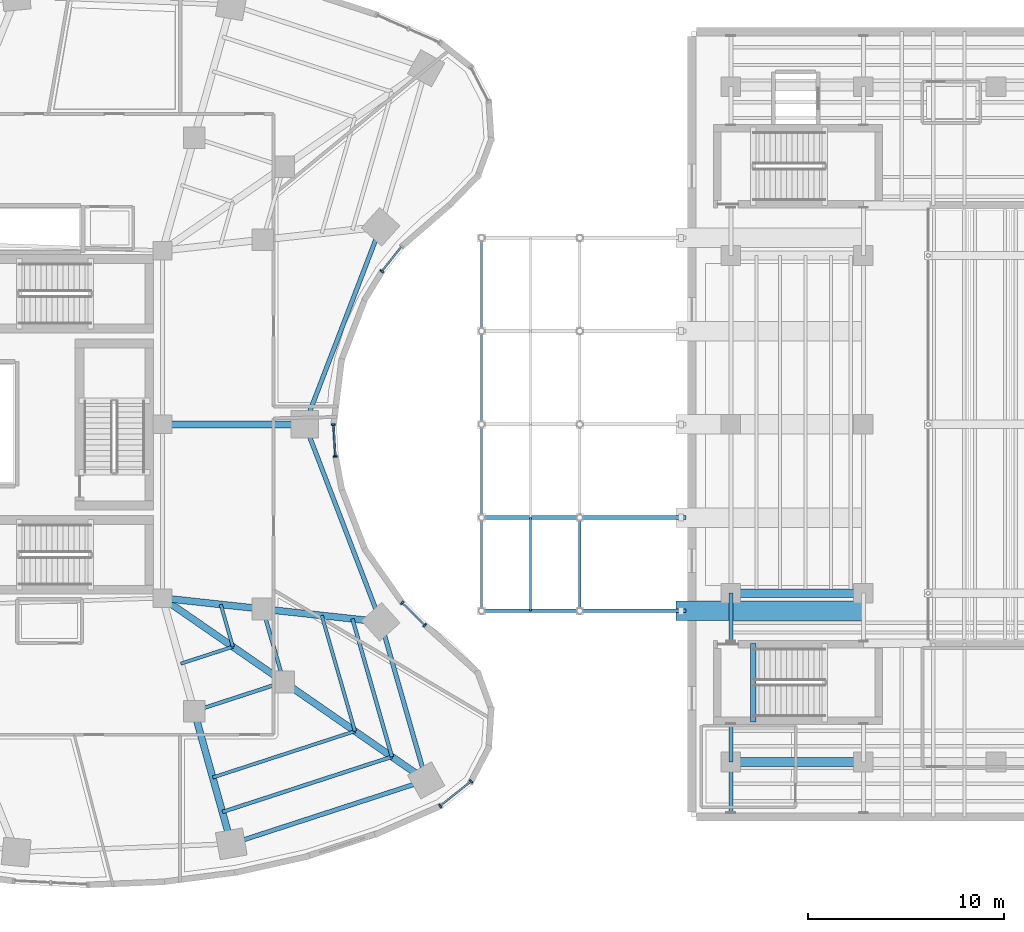
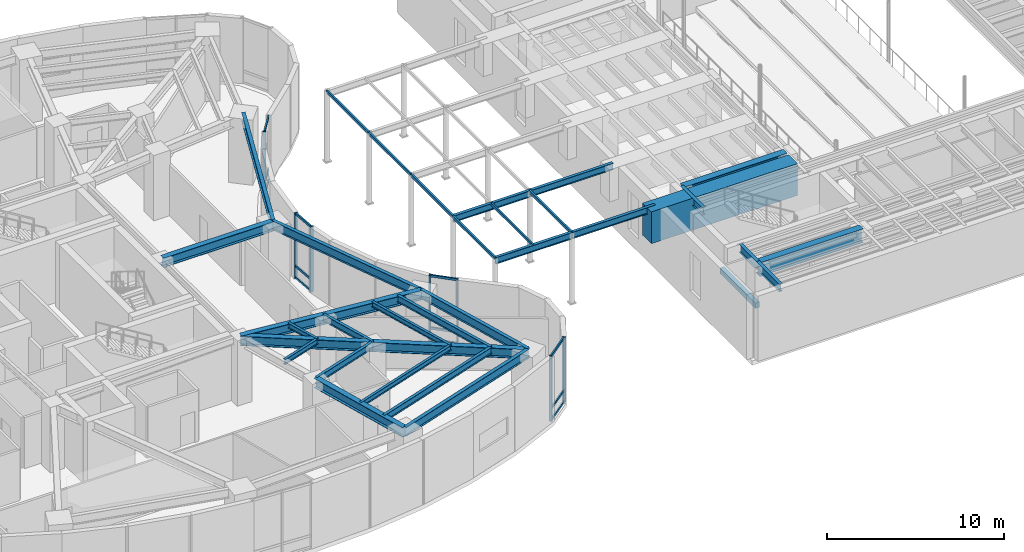
# One storey, part 8 of 24: 29 beams, 25 members, 4 elements without a shape of their own.
"""IFC4 building model written with IfcOpenShell, lengths in metres."""

import ifcopenshell
import ifcopenshell.guid

model = None  # the IFC model being written
_history = None  # IfcOwnerHistory: only IFC2X3 demands one
_inside = {}  # id of a spatial element -> (the spatial element, [elements in it])
_under = {}  # id of a project, library or spatial element -> (it, [spatial elements below it])
_declared = {}  # id of a project -> (the project, [libraries it declares])
_typed = {}  # id of a type object -> (the type object, [elements of that type])
_made_of = {}  # id of a material, layer set ... -> (it, [elements and type objects made of it])


def new_model(schema):
    """Start an empty IFC model of exactly this schema.

    Asked for "IFC4X3", IfcOpenShell would pick the latest addendum, in which some entities
    have other attributes; the version numbers below select the first issue.
    IFC2X3 requires an IfcOwnerHistory on every rooted entity: one is made here for all.
    """
    global model, _history
    if schema == "IFC4X3":
        model = ifcopenshell.file(schema_version=(4, 3, 0, 0))
    else:
        model = ifcopenshell.file(schema=schema)
    _inside.clear()
    _under.clear()
    _declared.clear()
    _typed.clear()
    _made_of.clear()
    _history = None
    if model.schema == "IFC2X3":
        org = make("IfcOrganization", Name="unknown")
        user = make(
            "IfcPersonAndOrganization",
            ThePerson=make("IfcPerson", FamilyName="unknown"),
            TheOrganization=org,
        )
        app = make(
            "IfcApplication",
            ApplicationDeveloper=org,
            Version="unknown",
            ApplicationFullName="unknown",
            ApplicationIdentifier="unknown",
        )
        _history = make(
            "IfcOwnerHistory",
            OwningUser=user,
            OwningApplication=app,
            ChangeAction="ADDED",
            CreationDate=0,
        )
    return model


def make(cls, **values):
    """One entity of the class cls with the attributes given. An attribute that is None is left unset."""
    return model.create_entity(
        cls, **{name: value for name, value in values.items() if value is not None}
    )


def rooted(cls, **values):
    """An entity with a GlobalId (a new one), such as an element, a storey or a relation."""
    return make(cls, GlobalId=ifcopenshell.guid.new(), OwnerHistory=_history, **values)


def si_unit(unit_type, name, prefix=None):
    """IfcSIUnit, for example si_unit("LENGTHUNIT", "METRE", prefix="MILLI")."""
    return make("IfcSIUnit", UnitType=unit_type, Prefix=prefix, Name=name)


def assignment(units):
    """IfcUnitAssignment: the units of a project."""
    return None if units is None else make("IfcUnitAssignment", Units=units)


def point(xyz):
    """IfcCartesianPoint."""
    return None if xyz is None else make("IfcCartesianPoint", Coordinates=xyz)


def direction(xyz):
    """IfcDirection."""
    return None if xyz is None else make("IfcDirection", DirectionRatios=xyz)


def frame(location, z_axis=None, x_axis=None):
    """IfcAxis2Placement3D, a coordinate frame: its origin and axes. An axis left out is left unset."""
    return make(
        "IfcAxis2Placement3D",
        Location=point(location),
        Axis=direction(z_axis),
        RefDirection=direction(x_axis),
    )


def frame_2d(location, x_axis=None):
    """IfcAxis2Placement2D, a coordinate frame in the plane: its origin and x axis."""
    return make(
        "IfcAxis2Placement2D", Location=point(location), RefDirection=direction(x_axis)
    )


def origin():
    """The frame at (0, 0, 0) with its axes left unset."""
    return frame((0.0, 0.0, 0.0))


def origin_2d():
    """The frame at (0, 0) in the plane with its x axis left unset."""
    return frame_2d((0.0, 0.0))


def place(relative_to, where):
    """IfcLocalPlacement: puts the frame where relative to a parent placement (None: the world)."""
    return make(
        "IfcLocalPlacement", PlacementRelTo=relative_to, RelativePlacement=where
    )


def context(
    kind, dimensions, precision=None, world=None, true_north=None, identifier=None
):
    """IfcGeometricRepresentationContext, for example the 3D "Model" context."""
    return make(
        "IfcGeometricRepresentationContext",
        ContextIdentifier=identifier,
        ContextType=kind,
        CoordinateSpaceDimension=dimensions,
        Precision=precision,
        WorldCoordinateSystem=world,
        TrueNorth=true_north,
    )


def subcontext(parent, identifier, kind, view, scale=None):
    """IfcGeometricRepresentationSubContext, for example "Body" below "Model"."""
    return make(
        "IfcGeometricRepresentationSubContext",
        ContextIdentifier=identifier,
        ContextType=kind,
        ParentContext=parent,
        TargetScale=scale,
        TargetView=view,
    )


def project(units=None, contexts=None):
    """IfcProject with its units and contexts."""
    return rooted(
        "IfcProject",
        Name="project",
        RepresentationContexts=contexts,
        UnitsInContext=assignment(units),
    )


def spatial(cls, under=None, at=None, **own):
    """A site, building, storey or space (cls), placed at a placement, below another one or the project."""
    s = rooted(cls, ObjectPlacement=at, **own)
    if under is not None:
        _under.setdefault(under.id(), (under, []))[1].append(s)
    return s


def profile(cls, at=None, kind="AREA", **sizes):
    """A parametric profile (cls). Its sizes go by their IFC names, for example OverallWidth=200.0."""
    return make(cls, ProfileType=kind, Position=at, **sizes)


def rectangle(**sizes):
    """IfcRectangleProfileDef."""
    return profile("IfcRectangleProfileDef", **sizes)


def hollow_rectangle(**sizes):
    """IfcRectangleHollowProfileDef."""
    return profile("IfcRectangleHollowProfileDef", **sizes)


def i_section(**sizes):
    """IfcIShapeProfileDef."""
    return profile("IfcIShapeProfileDef", **sizes)


def extrude(swept, where, along, depth):
    """IfcExtrudedAreaSolid: the profile swept, set in the frame where, extruded along a direction by depth."""
    return make(
        "IfcExtrudedAreaSolid",
        SweptArea=swept,
        Position=where,
        ExtrudedDirection=direction(along),
        Depth=depth,
    )


def shape(context_of_items, identifier, shape_type, items):
    """IfcShapeRepresentation: the items that make up one representation, for example the "Body"."""
    return make(
        "IfcShapeRepresentation",
        ContextOfItems=context_of_items,
        RepresentationIdentifier=identifier,
        RepresentationType=shape_type,
        Items=items,
    )


def material(Name=None, Category=None):
    """IfcMaterial."""
    return make("IfcMaterial", Name=Name, Category=Category)


def layer(
    of_material, thickness, ventilated=None, Name=None, Category=None, Priority=None
):
    """IfcMaterialLayer: one layer of a wall or slab, of a material (None: an air gap)."""
    return make(
        "IfcMaterialLayer",
        Material=of_material,
        LayerThickness=thickness,
        IsVentilated=ventilated,
        Name=Name,
        Category=Category,
        Priority=Priority,
    )


def layer_set(layers, Name=None):
    """IfcMaterialLayerSet."""
    return make("IfcMaterialLayerSet", MaterialLayers=layers, LayerSetName=Name)


def material_profile(
    of_material, cross_section, Name=None, Category=None, Priority=None
):
    """IfcMaterialProfile: a cross section and its material."""
    return make(
        "IfcMaterialProfile",
        Name=Name,
        Material=of_material,
        Profile=cross_section,
        Priority=Priority,
        Category=Category,
    )


def profile_set(profiles, Name=None, composite=None):
    """IfcMaterialProfileSet."""
    return make(
        "IfcMaterialProfileSet",
        Name=Name,
        MaterialProfiles=profiles,
        CompositeProfile=composite,
    )


def made_of(thing, what):
    """Note that an element or type object is made of a material, layer set ...; save() writes the relation."""
    if what is not None:
        _made_of.setdefault(what.id(), (what, []))[1].append(thing)
    return thing


def type_object(cls, material=None, **own):
    """A type object (cls), such as IfcWallType, which elements share."""
    return made_of(rooted(cls, **own), material)


def element(
    cls,
    number,
    at=None,
    inside=None,
    cuts=None,
    type_object=None,
    material=None,
    context=None,
    identifier="Body",
    shape_type=None,
    held_by="IfcProductDefinitionShape",
    body=None,
    shapes=None,
    **own,
):
    """One element of the class cls, such as IfcWall. Its Tag is "e" and its number.

    at: its placement. inside: the storey or other place that contains it. cuts: it is an
    opening in that element (IfcRelVoidsElement). A single representation is given by context,
    identifier, shape_type and body (its items); several are given by shapes. held_by: the class
    of the entity that holds the representations. save() writes the other relations.
    """
    e = rooted(cls, Tag="e%d" % number, ObjectPlacement=at, **own)
    if body is not None:
        shapes = [shape(context, identifier, shape_type, body)]
    if shapes is not None:
        e.Representation = make(held_by, Representations=shapes)
    if inside is not None:
        _inside.setdefault(inside.id(), (inside, []))[1].append(e)
    if cuts is not None:
        rooted(
            "IfcRelVoidsElement", RelatingBuildingElement=cuts, RelatedOpeningElement=e
        )
    if type_object is not None:
        _typed.setdefault(type_object.id(), (type_object, []))[1].append(e)
    return made_of(e, material)


def aggregate(whole, parts):
    """IfcRelAggregates: a whole, such as a stair, and the parts it consists of."""
    return rooted("IfcRelAggregates", RelatingObject=whole, RelatedObjects=parts)


def save(model, path):
    """Write the relations noted so far, then the file.

    IfcRelAggregates (storeys below a building ...), IfcRelContainedInSpatialStructure (elements
    in a storey), IfcRelDefinesByType, IfcRelAssociatesMaterial and IfcRelDeclares: one each for
    every whole, place, type object, material and project.
    """
    for whole, parts in _under.values():
        aggregate(whole, parts)
    for where, things in _inside.values():
        rooted(
            "IfcRelContainedInSpatialStructure",
            RelatedElements=things,
            RelatingStructure=where,
        )
    for kind, things in _typed.values():
        rooted("IfcRelDefinesByType", RelatedObjects=things, RelatingType=kind)
    for what, things in _made_of.values():
        rooted("IfcRelAssociatesMaterial", RelatedObjects=things, RelatingMaterial=what)
    for by, libraries in _declared.values():
        rooted("IfcRelDeclares", RelatingContext=by, RelatedDefinitions=libraries)
    model.write(path)


model = new_model("IFC4")

# Units and contexts
model_context = context("Model", 3, precision=1e-05, world=origin(), true_north=direction((0.0, 1.0)))
body_context = subcontext(model_context, "Body", "Model", "MODEL_VIEW")
ifc_project = project(units=[si_unit("LENGTHUNIT", "METRE"), si_unit("AREAUNIT", "SQUARE_METRE"), si_unit("VOLUMEUNIT", "CUBIC_METRE"), si_unit("PLANEANGLEUNIT", "RADIAN"), si_unit("MASSUNIT", "GRAM", prefix="KILO")], contexts=[model_context])

# Site, building, storey
site_placement = place(None, origin())
site = spatial("IfcSite", under=ifc_project, at=site_placement, CompositionType="ELEMENT")
building_placement = place(site_placement, origin())
building = spatial("IfcBuilding", under=site, at=building_placement, Name="Korentha Bioscience Tower", CompositionType="ELEMENT")
storey_placement = place(building_placement, frame((0.0, 0.0, 5.39990234375)))
storey = spatial("IfcBuildingStorey", under=building, at=storey_placement, Name="L01", CompositionType="ELEMENT", Elevation=5.39990234375)

# Members
ifc_material_1 = material(Name="Steel S355", Category="steel")
ifc_material_profile_1 = material_profile(ifc_material_1, hollow_rectangle(XDim=0.1201171875, YDim=0.199951171875, WallThickness=0.010009765625, at=origin_2d()), Name="Steel S355")
ifc_profile_set_1 = profile_set([ifc_material_profile_1], Name="Steel S355 (AC-P200)")
member_type_1 = type_object("IfcMemberType", Name="Arcade Canopy Purlin RHS 200x120x10", PredefinedType="PURLIN", material=ifc_profile_set_1)
for number, where, z_axis, x_axis, name in (
    (1, (53.800048828125, 17.5, 4.460205078125), (0.0, 1.0, 0.0), (-1.0, 0.0, 0.0), "L01 Arcade Canopy Purlin 1-W"),
    (2, (58.800048828125, 17.5, 4.460205078125), (0.0, 1.0, 0.0), (-1.0, 0.0, 0.0), "L01 Arcade Canopy Purlin 1-E"),
    (3, (53.800048828125, 22.25, 4.460205078125), (0.0, 1.0, 0.0), (-1.0, 0.0, 0.0), "L01 Arcade Canopy Purlin 2-W"),
    (4, (53.800048828125, 27.0, 4.460205078125), (0.0, 1.0, 0.0), (-1.0, 0.0, 0.0), "L01 Arcade Canopy Purlin 3-W"),
    (5, (53.800048828125, 31.75, 4.460205078125), (0.0, 1.0, 0.0), (-1.0, 0.0, 0.0), "L01 Arcade Canopy Purlin 4-W"),
):
    element("IfcMember", number, at=place(storey_placement, frame(where, z_axis=z_axis, x_axis=x_axis)), inside=storey, type_object=member_type_1, Name=name, PredefinedType="PURLIN", context=body_context, shape_type="SweptSolid", body=[
        extrude(hollow_rectangle(XDim=0.1201171875, YDim=0.199951171875, WallThickness=0.010009765625, at=origin_2d()), origin(), (0.0, 0.0, 1.0), 4.75),
    ])

# Beams
ifc_material_profile_2 = material_profile(ifc_material_1, i_section(OverallWidth=0.18994140625, OverallDepth=0.45703125, WebThickness=0.009033203125, FlangeThickness=0.014404296875, at=origin_2d()), Name="Steel S355")
ifc_profile_set_2 = profile_set([ifc_material_profile_2], Name="Steel S355 (AB-460)")
beam_type_1 = type_object("IfcBeamType", Name="Arcade Canopy Roof Girder W460x74", PredefinedType="BEAM", material=ifc_profile_set_2)
beam_1_placement = place(storey_placement, frame((53.800048828125, 17.5, 4.33154296875), z_axis=(1.0, 0.0, 0.0), x_axis=(0.0, 1.0, 0.0)))
element("IfcBeam", 6, at=beam_1_placement, inside=storey, type_object=beam_type_1, Name="L01 Arcade West Span Girder 01", PredefinedType="BEAM", context=body_context, shape_type="SweptSolid", body=[
    extrude(i_section(OverallWidth=0.18994140625, OverallDepth=0.45703125, WebThickness=0.009033203125, FlangeThickness=0.014404296875, at=origin_2d()), origin(), (0.0, 0.0, 1.0), 5.0),
])
beam_2_placement = place(storey_placement, frame((58.800048828125, 17.5, 4.33154296875), z_axis=(1.0, 0.0, 0.0), x_axis=(0.0, 1.0, 0.0)))
element("IfcBeam", 7, at=beam_2_placement, inside=storey, type_object=beam_type_1, Name="L01 Arcade Joint Span Girder 01", PredefinedType="BEAM", context=body_context, shape_type="SweptSolid", body=[
    extrude(i_section(OverallWidth=0.18994140625, OverallDepth=0.45703125, WebThickness=0.009033203125, FlangeThickness=0.014404296875, at=origin_2d()), origin(), (0.0, 0.0, 1.0), 5.409912109375),
])
beam_3_placement = place(storey_placement, frame((53.800048828125, 22.25, 4.33154296875), z_axis=(1.0, 0.0, 0.0), x_axis=(0.0, 1.0, 0.0)))
element("IfcBeam", 8, at=beam_3_placement, inside=storey, type_object=beam_type_1, Name="L01 Arcade West Span Girder 02", PredefinedType="BEAM", context=body_context, shape_type="SweptSolid", body=[
    extrude(i_section(OverallWidth=0.18994140625, OverallDepth=0.45703125, WebThickness=0.009033203125, FlangeThickness=0.014404296875, at=origin_2d()), origin(), (0.0, 0.0, 1.0), 5.0),
])
beam_4_placement = place(storey_placement, frame((58.800048828125, 22.25, 4.33154296875), z_axis=(1.0, 0.0, 0.0), x_axis=(0.0, 1.0, 0.0)))
element("IfcBeam", 9, at=beam_4_placement, inside=storey, type_object=beam_type_1, Name="L01 Arcade Joint Span Girder 02", PredefinedType="BEAM", context=body_context, shape_type="SweptSolid", body=[
    extrude(i_section(OverallWidth=0.18994140625, OverallDepth=0.45703125, WebThickness=0.009033203125, FlangeThickness=0.014404296875, at=origin_2d()), origin(), (0.0, 0.0, 1.0), 5.409912109375),
])

# Member
ifc_material_profile_3 = material_profile(ifc_material_1, hollow_rectangle(XDim=0.10009765625, YDim=0.179931640625, WallThickness=0.008056640625, at=origin_2d()), Name="Steel S355")
ifc_profile_set_3 = profile_set([ifc_material_profile_3], Name="Steel S355 (AC-P180)")
member_type_2 = type_object("IfcMemberType", Name="Canopy Secondary Sub-Purlin RHS 180x100x8", PredefinedType="PURLIN", material=ifc_profile_set_3)
member_1_placement = place(storey_placement, frame((56.300048828125, 17.5, 4.47021484375), z_axis=(0.0, 1.0, 0.0), x_axis=(-1.0, 0.0, 0.0)))
element("IfcMember", 10, at=member_1_placement, inside=storey, type_object=member_type_2, Name="L01 Arcade Canopy Purlin 1-M", PredefinedType="PURLIN", context=body_context, shape_type="SweptSolid", body=[
    extrude(hollow_rectangle(XDim=0.10009765625, YDim=0.179931640625, WallThickness=0.008056640625, at=origin_2d()), origin(), (0.0, 0.0, 1.0), 4.75),
])

# Beams
ifc_material_2 = material(Name="Concrete C50", Category="concrete")
ifc_material_profile_4 = material_profile(ifc_material_2, rectangle(XDim=0.280029296875, YDim=0.3798828125, at=origin_2d()), Name="Concrete C50")
ifc_profile_set_4 = profile_set([ifc_material_profile_4], Name="Concrete C50 (ST-HB380)")
beam_type_2 = type_object("IfcBeamType", Name="Concrete Stair Header Beam RC 280x380", PredefinedType="BEAM", material=ifc_profile_set_4)
beam_5_placement = place(storey_placement, frame((67.64990234375, 11.85009765625, -0.18994140625), z_axis=(0.0, 1.0, 0.0), x_axis=(-1.0, 0.0, 0.0)))
element("IfcBeam", 11, at=beam_5_placement, inside=storey, type_object=beam_type_2, Name="L01 ST-T1 Concrete Stair Header Beam", PredefinedType="BEAM", context=body_context, shape_type="SweptSolid", body=[
    extrude(rectangle(XDim=0.280029296875, YDim=0.3798828125, at=origin_2d()), origin(), (0.0, 0.0, 1.0), 4.0),
])
ifc_material_profile_5 = material_profile(ifc_material_1, i_section(OverallWidth=0.18994140625, OverallDepth=0.45703125, WebThickness=0.009033203125, FlangeThickness=0.014404296875, at=origin_2d()), Name="Steel S355")
ifc_profile_set_5 = profile_set([ifc_material_profile_5], Name="Steel S355 (MB-460)")
beam_type_3 = type_object("IfcBeamType", Name="Mid-Ring Tie Girder W460x74", PredefinedType="BEAM", material=ifc_profile_set_5)
beam_6_placement = place(storey_placement, frame((39.1611328125, 12.392333984375, 4.271484375), z_axis=(0.950877001105, 0.309568940253, 0.0), x_axis=(-0.309568940253, 0.950877001105, 0.0)))
element("IfcBeam", 12, at=beam_6_placement, inside=storey, type_object=beam_type_3, Name="L01 Mid-Ring Tie Girder 12", PredefinedType="BEAM", context=body_context, shape_type="SweptSolid", body=[
    extrude(i_section(OverallWidth=0.18994140625, OverallDepth=0.45703125, WebThickness=0.009033203125, FlangeThickness=0.014404296875, at=origin_2d()), origin(), (0.0, 0.0, 1.0), 4.80126953125),
])
beam_7_placement = place(storey_placement, frame((43.7265625, 13.878662109375, 4.271484375), z_axis=(-0.27560557792, 0.961270807535, 0.0), x_axis=(-0.961270807535, -0.27560557792, 0.0)))
element("IfcBeam", 13, at=beam_7_placement, inside=storey, type_object=beam_type_3, Name="L01 Mid-Ring Tie Girder 13", PredefinedType="BEAM", context=body_context, shape_type="SweptSolid", body=[
    extrude(i_section(OverallWidth=0.18994140625, OverallDepth=0.45703125, WebThickness=0.009033203125, FlangeThickness=0.014404296875, at=origin_2d()), origin(), (0.0, 0.0, 1.0), 3.864013671875),
])

# Curtain wall, members
ifc_material_3 = material(Name="Stone-Clad Aluminium Frame", Category="masonry")
ifc_layer = layer(ifc_material_3, 0.219970703125, Name="Stone-Clad Aluminium Frame")
ifc_layer_set = layer_set([ifc_layer], Name="Stone-Clad Aluminium Frame (CW-P1)")
curtain_wall_type = type_object("IfcCurtainWallType", Name="Podium Double-Height Stone-Mullion Curtain Wall CW-P1", PredefinedType="USERDEFINED", material=ifc_layer_set)
curtain_wall_1_placement = place(storey_placement, origin())
curtain_wall_1 = element("IfcCurtainWall", 14, at=curtain_wall_1_placement, inside=storey, type_object=curtain_wall_type, Name="L01 Curtain Wall 37", ObjectType="UNITISED", PredefinedType="USERDEFINED")
ifc_material_4 = material(Name="Anodised Aluminium 6063-T6", Category="aluminium")
ifc_material_profile_6 = material_profile(ifc_material_4, rectangle(XDim=0.090087890625, YDim=0.199951171875, at=origin_2d()), Name="Anodised Aluminium 6063-T6")
ifc_profile_set_6 = profile_set([ifc_material_profile_6], Name="Anodised Aluminium 6063-T6 (CW-MUL)")
member_type_3 = type_object("IfcMemberType", Name="Mullion RECT 90x200", PredefinedType="MULLION", material=ifc_profile_set_6)
member_2_placement = place(storey_placement, frame((51.6865234375, 7.56298828125, 0.0), z_axis=(0.0, 0.0, 1.0), x_axis=(0.782287851332, 0.62291710336, 0.0)))
member_2 = element("IfcMember", 15, at=member_2_placement, type_object=member_type_3, Name="CW-L01-37 Mullion 1", PredefinedType="MULLION", context=body_context, shape_type="SweptSolid", body=[
    extrude(rectangle(XDim=0.090087890625, YDim=0.199951171875, at=origin_2d()), origin(), (0.0, 0.0, 1.0), 4.5),
])
member_3_placement = place(storey_placement, frame((53.264892578125, 8.81982421875, 0.0), z_axis=(0.0, 0.0, 1.0), x_axis=(0.782287851332, 0.62291710336, 0.0)))
member_3 = element("IfcMember", 16, at=member_3_placement, type_object=member_type_3, Name="CW-L01-37 Mullion 2", PredefinedType="MULLION", context=body_context, shape_type="SweptSolid", body=[
    extrude(rectangle(XDim=0.090087890625, YDim=0.199951171875, at=origin_2d()), origin(), (0.0, 0.0, 1.0), 4.5),
])

curtain_wall_2_placement = place(storey_placement, origin())
curtain_wall_2 = element("IfcCurtainWall", 17, at=curtain_wall_2_placement, inside=storey, type_object=curtain_wall_type, Name="L01 Curtain Wall 43", ObjectType="UNITISED", PredefinedType="USERDEFINED")
member_4_placement = place(storey_placement, frame((50.913818359375, 16.76513671875, 0.0), z_axis=(0.0, 0.0, 1.0), x_axis=(-0.713279246754, 0.700879958445, 0.0)))
member_4 = element("IfcMember", 18, at=member_4_placement, type_object=member_type_3, Name="CW-L01-43 Mullion 1", PredefinedType="MULLION", context=body_context, shape_type="SweptSolid", body=[
    extrude(rectangle(XDim=0.090087890625, YDim=0.199951171875, at=origin_2d()), origin(), (0.0, 0.0, 1.0), 4.5),
])
member_5_placement = place(storey_placement, frame((49.752685546875, 17.90625, 0.0), z_axis=(0.0, 0.0, 1.0), x_axis=(-0.713279246754, 0.700879958445, 0.0)))
member_5 = element("IfcMember", 19, at=member_5_placement, type_object=member_type_3, Name="CW-L01-43 Mullion 2", PredefinedType="MULLION", context=body_context, shape_type="SweptSolid", body=[
    extrude(rectangle(XDim=0.090087890625, YDim=0.199951171875, at=origin_2d()), origin(), (0.0, 0.0, 1.0), 4.5),
])

curtain_wall_3_placement = place(storey_placement, origin())
curtain_wall_3 = element("IfcCurtainWall", 20, at=curtain_wall_3_placement, inside=storey, type_object=curtain_wall_type, Name="L01 Curtain Wall 49", ObjectType="UNITISED", PredefinedType="USERDEFINED")
member_6_placement = place(storey_placement, frame((46.355712890625, 25.3603515625, 0.0), z_axis=(0.0, 0.0, 1.0), x_axis=(-0.061008272998, 0.998137260413, 0.0)))
member_6 = element("IfcMember", 21, at=member_6_placement, type_object=member_type_3, Name="CW-L01-49 Mullion 1", PredefinedType="MULLION", context=body_context, shape_type="SweptSolid", body=[
    extrude(rectangle(XDim=0.090087890625, YDim=0.199951171875, at=origin_2d()), origin(), (0.0, 0.0, 1.0), 4.5),
])
member_7_placement = place(storey_placement, frame((46.25634765625, 26.985107421875, 0.0), z_axis=(0.0, 0.0, 1.0), x_axis=(-0.061008272998, 0.998137260413, 0.0)))
member_7 = element("IfcMember", 22, at=member_7_placement, type_object=member_type_3, Name="CW-L01-49 Mullion 2", PredefinedType="MULLION", context=body_context, shape_type="SweptSolid", body=[
    extrude(rectangle(XDim=0.090087890625, YDim=0.199951171875, at=origin_2d()), origin(), (0.0, 0.0, 1.0), 4.5),
])

# Curtain wall, member
curtain_wall_4_placement = place(storey_placement, origin())
curtain_wall_4 = element("IfcCurtainWall", 23, at=curtain_wall_4_placement, inside=storey, type_object=curtain_wall_type, Name="L01 Curtain Wall 55", ObjectType="UNITISED", PredefinedType="USERDEFINED")
member_8_placement = place(storey_placement, frame((48.719482421875, 34.7978515625, 0.0), z_axis=(0.0, 0.0, 1.0), x_axis=(0.622520324648, 0.782603632371, 0.0)))
member_8 = element("IfcMember", 24, at=member_8_placement, type_object=member_type_3, Name="CW-L01-55 Mullion 1", PredefinedType="MULLION", context=body_context, shape_type="SweptSolid", body=[
    extrude(rectangle(XDim=0.090087890625, YDim=0.199951171875, at=origin_2d()), origin(), (0.0, 0.0, 1.0), 4.5),
])

# Beams
ifc_material_profile_7 = material_profile(ifc_material_1, i_section(OverallWidth=0.208984375, OverallDepth=0.532958984375, WebThickness=0.01025390625, FlangeThickness=0.015625, at=origin_2d()), Name="Steel S355")
ifc_profile_set_7 = profile_set([ifc_material_profile_7], Name="Steel S355 (SB-530)")
beam_type_4 = type_object("IfcBeamType", Name="Perimeter Ring Spandrel Girder W530x92", PredefinedType="SPANDREL", material=ifc_profile_set_7)
beam_8_placement = place(storey_placement, frame((66.5, 7.2099609375, 4.233642578125), z_axis=(0.0, 1.0, 0.0), x_axis=(-1.0, 0.0, 0.0)))
element("IfcBeam", 25, at=beam_8_placement, inside=storey, type_object=beam_type_4, Name="L01 Theatre Collector Girder 1-1", PredefinedType="SPANDREL", context=body_context, shape_type="SweptSolid", body=[
    extrude(i_section(OverallWidth=0.208984375, OverallDepth=0.532958984375, WebThickness=0.01025390625, FlangeThickness=0.015625, at=origin_2d()), origin(), (0.0, 0.0, 1.0), 2.590087890625),
])
beam_9_placement = place(storey_placement, frame((66.5, 9.800048828125, 4.233642578125), z_axis=(0.0, 1.0, 0.0), x_axis=(-1.0, 0.0, 0.0)))
element("IfcBeam", 26, at=beam_9_placement, inside=storey, type_object=beam_type_4, Name="L01 Theatre Collector Girder 1-2", PredefinedType="SPANDREL", context=body_context, shape_type="SweptSolid", body=[
    extrude(i_section(OverallWidth=0.208984375, OverallDepth=0.532958984375, WebThickness=0.01025390625, FlangeThickness=0.015625, at=origin_2d()), origin(), (0.0, 0.0, 1.0), 1.949951171875),
])
beam_10_placement = place(storey_placement, frame((66.5, 15.949951171875, 4.233642578125), z_axis=(0.0, 1.0, 0.0), x_axis=(-1.0, 0.0, 0.0)))
element("IfcBeam", 27, at=beam_10_placement, inside=storey, type_object=beam_type_4, Name="L01 Theatre Collector Girder 1-3", PredefinedType="SPANDREL", context=body_context, shape_type="SweptSolid", body=[
    extrude(i_section(OverallWidth=0.208984375, OverallDepth=0.532958984375, WebThickness=0.01025390625, FlangeThickness=0.015625, at=origin_2d()), origin(), (0.0, 0.0, 1.0), 2.449951171875),
])
ifc_material_profile_8 = material_profile(ifc_material_1, i_section(OverallWidth=0.22802734375, OverallDepth=0.60791015625, WebThickness=0.01123046875, FlangeThickness=0.017333984375, at=origin_2d()), Name="Steel S355")
ifc_profile_set_8 = profile_set([ifc_material_profile_8], Name="Steel S355 (SB-610)")
beam_type_5 = type_object("IfcBeamType", Name="Perimeter Ring Spandrel Girder W610x113", PredefinedType="SPANDREL", material=ifc_profile_set_8)
beam_11_placement = place(storey_placement, frame((41.052490234375, 5.63330078125, 4.196044921875), z_axis=(0.95087511444, 0.309574735305, 0.0), x_axis=(-0.309574735305, 0.95087511444, 0.0)))
element("IfcBeam", 28, at=beam_11_placement, inside=storey, type_object=beam_type_5, Name="L01 Perimeter Spandrel Girder 12", PredefinedType="SPANDREL", context=body_context, shape_type="SweptSolid", body=[
    extrude(i_section(OverallWidth=0.22802734375, OverallDepth=0.60791015625, WebThickness=0.01123046875, FlangeThickness=0.017333984375, at=origin_2d()), origin(), (0.0, 0.0, 1.0), 10.4375),
])
beam_12_placement = place(storey_placement, frame((50.977294921875, 8.864501953125, 4.196044921875), z_axis=(-0.275642273411, 0.961260285827, 0.0), x_axis=(-0.961260285827, -0.275642273411, 0.0)))
element("IfcBeam", 29, at=beam_12_placement, inside=storey, type_object=beam_type_5, Name="L01 Perimeter Spandrel Girder 13", PredefinedType="SPANDREL", context=body_context, shape_type="SweptSolid", body=[
    extrude(i_section(OverallWidth=0.22802734375, OverallDepth=0.60791015625, WebThickness=0.01123046875, FlangeThickness=0.017333984375, at=origin_2d()), origin(), (0.0, 0.0, 1.0), 8.400146484375),
])
for number, where, z_axis, x_axis, name in (
    (30, (48.661865234375, 16.939208984375, 4.196044921875), (-0.358473520253, 0.93353989485, 0.0), (-0.93353989485, -0.358473520253, 0.0), "L01 Perimeter Spandrel Girder 14"),
    (31, (44.798583984375, 27.0, 4.196044921875), (0.358473520253, 0.93353989485, 0.0), (-0.93353989485, 0.358473520253, 0.0), "L01 Perimeter Spandrel Girder 15"),
):
    element("IfcBeam", number, at=place(storey_placement, frame(where, z_axis=z_axis, x_axis=x_axis)), inside=storey, type_object=beam_type_5, Name=name, PredefinedType="SPANDREL", context=body_context, shape_type="SweptSolid", body=[
        extrude(i_section(OverallWidth=0.22802734375, OverallDepth=0.60791015625, WebThickness=0.01123046875, FlangeThickness=0.017333984375, at=origin_2d()), origin(), (0.0, 0.0, 1.0), 10.777099609375),
    ])
ifc_material_profile_9 = material_profile(ifc_material_1, i_section(OverallWidth=0.18994140625, OverallDepth=0.45703125, WebThickness=0.009033203125, FlangeThickness=0.014404296875, at=origin_2d()), Name="Steel S355")
ifc_profile_set_9 = profile_set([ifc_material_profile_9], Name="Steel S355 (RB-460)")
beam_type_6 = type_object("IfcBeamType", Name="Radial Laboratory Beam W460x74", PredefinedType="BEAM", material=ifc_profile_set_9)
beam_13_placement = place(storey_placement, frame((40.5986328125, 7.255615234375, 4.271484375), z_axis=(0.95087437499, 0.309577006554, 0.0), x_axis=(-0.309577006554, 0.95087437499, 0.0)))
element("IfcBeam", 32, at=beam_13_placement, inside=storey, type_object=beam_type_6, Name="L01 Secondary Floor Beam JSTO-12", PredefinedType="BEAM", context=body_context, shape_type="SweptSolid", body=[
    extrude(i_section(OverallWidth=0.18994140625, OverallDepth=0.45703125, WebThickness=0.009033203125, FlangeThickness=0.014404296875, at=origin_2d()), origin(), (0.0, 0.0, 1.0), 9.0849609375),
])
beam_14_placement = place(storey_placement, frame((49.2373046875, 10.068115234375, 4.271484375), z_axis=(-0.275682421415, 0.961248772443, 0.0), x_axis=(-0.961248772443, -0.275682421415, 0.0)))
element("IfcBeam", 33, at=beam_14_placement, inside=storey, type_object=beam_type_6, Name="L01 Secondary Floor Beam JSTO-13", PredefinedType="BEAM", context=body_context, shape_type="SweptSolid", body=[
    extrude(i_section(OverallWidth=0.18994140625, OverallDepth=0.45703125, WebThickness=0.009033203125, FlangeThickness=0.014404296875, at=origin_2d()), origin(), (0.0, 0.0, 1.0), 7.3115234375),
])
ifc_material_profile_10 = material_profile(ifc_material_1, i_section(OverallWidth=0.35009765625, OverallDepth=0.64990234375, WebThickness=0.01611328125, FlangeThickness=0.02490234375, at=origin_2d()), Name="Steel S355")
ifc_profile_set_10 = profile_set([ifc_material_profile_10], Name="Steel S355 (RB-650)")
beam_type_7 = type_object("IfcBeamType", Name="Radial Laboratory Girder CVS 650x208", PredefinedType="BEAM", material=ifc_profile_set_10)
beam_15_placement = place(storey_placement, frame((39.1611328125, 12.392333984375, 4.175048828125), z_axis=(0.269475095129, -0.963007358801, 0.0), x_axis=(0.963007358801, 0.269475095129, 0.0)))
element("IfcBeam", 34, at=beam_15_placement, inside=storey, type_object=beam_type_7, Name="L01 Outer Radial Girder 12", PredefinedType="BEAM", context=body_context, shape_type="SweptSolid", body=[
    extrude(i_section(OverallWidth=0.35009765625, OverallDepth=0.64990234375, WebThickness=0.01611328125, FlangeThickness=0.02490234375, at=origin_2d()), origin(), (0.0, 0.0, 1.0), 7.0185546875),
])
beam_16_placement = place(storey_placement, frame((37.550048828125, 18.14990234375, 4.175048828125), z_axis=(0.822491697625, -0.568777115694, 0.0), x_axis=(0.568777115694, 0.822491697625, 0.0)))
element("IfcBeam", 35, at=beam_16_placement, inside=storey, type_object=beam_type_7, Name="L01 Inner Radial Girder 13", PredefinedType="BEAM", context=body_context, shape_type="SweptSolid", body=[
    extrude(i_section(OverallWidth=0.35009765625, OverallDepth=0.64990234375, WebThickness=0.01611328125, FlangeThickness=0.02490234375, at=origin_2d()), origin(), (0.0, 0.0, 1.0), 7.509521484375),
])
beam_17_placement = place(storey_placement, frame((43.7265625, 13.878662109375, 4.175048828125), z_axis=(0.822488186113, -0.568782193555, 0.0), x_axis=(0.568782193555, 0.822488186113, 0.0)))
element("IfcBeam", 36, at=beam_17_placement, inside=storey, type_object=beam_type_7, Name="L01 Outer Radial Girder 13", PredefinedType="BEAM", context=body_context, shape_type="SweptSolid", body=[
    extrude(i_section(OverallWidth=0.35009765625, OverallDepth=0.64990234375, WebThickness=0.01611328125, FlangeThickness=0.02490234375, at=origin_2d()), origin(), (0.0, 0.0, 1.0), 8.815673828125),
])
beam_18_placement = place(storey_placement, frame((37.550048828125, 18.14990234375, 4.175048828125), z_axis=(0.994117709144, -0.10830503389, 0.0), x_axis=(0.10830503389, 0.994117709144, 0.0)))
element("IfcBeam", 37, at=beam_18_placement, inside=storey, type_object=beam_type_7, Name="L01 Inner Radial Girder 14", PredefinedType="BEAM", context=body_context, shape_type="SweptSolid", body=[
    extrude(i_section(OverallWidth=0.35009765625, OverallDepth=0.64990234375, WebThickness=0.01611328125, FlangeThickness=0.02490234375, at=origin_2d()), origin(), (0.0, 0.0, 1.0), 5.141845703125),
])
beam_19_placement = place(storey_placement, frame((42.66162109375, 17.593017578125, 4.175048828125), z_axis=(0.994115805925, -0.108322501862, 0.0), x_axis=(0.108322501862, 0.994115805925, 0.0)))
element("IfcBeam", 38, at=beam_19_placement, inside=storey, type_object=beam_type_7, Name="L01 Outer Radial Girder 14", PredefinedType="BEAM", context=body_context, shape_type="SweptSolid", body=[
    extrude(i_section(OverallWidth=0.35009765625, OverallDepth=0.64990234375, WebThickness=0.01611328125, FlangeThickness=0.02490234375, at=origin_2d()), origin(), (0.0, 0.0, 1.0), 6.03564453125),
])
beam_20_placement = place(storey_placement, frame((37.550048828125, 27.0, 4.175048828125), z_axis=(1.0, 0.0, 0.0), x_axis=(0.0, 1.0, 0.0)))
element("IfcBeam", 39, at=beam_20_placement, inside=storey, type_object=beam_type_7, Name="L01 Radial Girder 15", PredefinedType="BEAM", context=body_context, shape_type="SweptSolid", body=[
    extrude(i_section(OverallWidth=0.35009765625, OverallDepth=0.64990234375, WebThickness=0.01611328125, FlangeThickness=0.02490234375, at=origin_2d()), origin(), (0.0, 0.0, 1.0), 7.24853515625),
])
ifc_material_profile_11 = material_profile(ifc_material_1, i_section(OverallWidth=0.1708984375, OverallDepth=0.35498046875, WebThickness=0.007080078125, FlangeThickness=0.01171875, at=origin_2d()), Name="Steel S355")
ifc_profile_set_11 = profile_set([ifc_material_profile_11], Name="Steel S355 (JB-360)")
beam_type_8 = type_object("IfcBeamType", Name="Secondary Laboratory Joist W360x51", PredefinedType="JOIST", material=ifc_profile_set_11)
beam_21_placement = place(storey_placement, frame((40.10693359375, 9.0126953125, 4.322509765625), z_axis=(0.950870992772, 0.309587394938, 0.0), x_axis=(-0.309587394938, 0.950870992772, 0.0)))
element("IfcBeam", 40, at=beam_21_placement, inside=storey, type_object=beam_type_8, Name="L01 Secondary Floor Beam JST-12", PredefinedType="JOIST", context=body_context, shape_type="SweptSolid", body=[
    extrude(i_section(OverallWidth=0.1708984375, OverallDepth=0.35498046875, WebThickness=0.007080078125, FlangeThickness=0.01171875, at=origin_2d()), origin(), (0.0, 0.0, 1.0), 7.619384765625),
])
beam_22_placement = place(storey_placement, frame((38.484619140625, 14.810546875, 4.322509765625), z_axis=(0.950869630746, 0.309591578254, 0.0), x_axis=(-0.309591578254, 0.950869630746, 0.0)))
element("IfcBeam", 41, at=beam_22_placement, inside=storey, type_object=beam_type_8, Name="L01 Inner Bay Joist 12", PredefinedType="JOIST", context=body_context, shape_type="SweptSolid", body=[
    extrude(i_section(OverallWidth=0.1708984375, OverallDepth=0.35498046875, WebThickness=0.007080078125, FlangeThickness=0.01171875, at=origin_2d()), origin(), (0.0, 0.0, 1.0), 2.784423828125),
])
beam_23_placement = place(storey_placement, frame((47.35205078125, 11.37158203125, 4.322509765625), z_axis=(-0.275667500387, 0.96125305161, 0.0), x_axis=(-0.96125305161, -0.275667500387, 0.0)))
element("IfcBeam", 42, at=beam_23_placement, inside=storey, type_object=beam_type_8, Name="L01 Secondary Floor Beam JST-13", PredefinedType="JOIST", context=body_context, shape_type="SweptSolid", body=[
    extrude(i_section(OverallWidth=0.1708984375, OverallDepth=0.35498046875, WebThickness=0.007080078125, FlangeThickness=0.01171875, at=origin_2d()), origin(), (0.0, 0.0, 1.0), 6.132080078125),
])
beam_24_placement = place(storey_placement, frame((41.13232421875, 15.672607421875, 4.322509765625), z_axis=(-0.275613067773, 0.961268660091, 0.0), x_axis=(-0.961268660091, -0.275613067773, 0.0)))
element("IfcBeam", 43, at=beam_24_placement, inside=storey, type_object=beam_type_8, Name="L01 Inner Bay Joist 13", PredefinedType="JOIST", context=body_context, shape_type="SweptSolid", body=[
    extrude(i_section(OverallWidth=0.1708984375, OverallDepth=0.35498046875, WebThickness=0.007080078125, FlangeThickness=0.01171875, at=origin_2d()), origin(), (0.0, 0.0, 1.0), 2.2412109375),
])
ifc_material_profile_12 = material_profile(ifc_material_2, rectangle(XDim=1.0, YDim=2.199951171875, at=origin_2d()), Name="Concrete C50")
ifc_profile_set_12 = profile_set([ifc_material_profile_12], Name="Concrete C50 (TCB-01)")
beam_type_9 = type_object("IfcBeamType", Name="Theatre Joint Corbel Beam RC 1000x2200", PredefinedType="BEAM", material=ifc_profile_set_12)
beam_25_placement = place(storey_placement, frame((63.699951171875, 17.5, 3.400146484375), z_axis=(1.0, 0.0, 0.0), x_axis=(0.0, 1.0, 0.0)))
element("IfcBeam", 44, at=beam_25_placement, inside=storey, type_object=beam_type_9, Name="L01 Theatre Movement-Joint Corbel 01", PredefinedType="BEAM", context=body_context, shape_type="SweptSolid", body=[
    extrude(rectangle(XDim=1.0, YDim=2.199951171875, at=origin_2d()), origin(), (0.0, 0.0, 1.0), 9.550048828125),
])
ifc_material_profile_13 = material_profile(ifc_material_1, i_section(OverallWidth=0.449951171875, OverallDepth=0.949951171875, WebThickness=0.02001953125, FlangeThickness=0.034912109375, at=origin_2d()), Name="Steel S355")
ifc_profile_set_13 = profile_set([ifc_material_profile_13], Name="Steel S355 (TB-950)")
beam_type_10 = type_object("IfcBeamType", Name="Theatre Primary Girder CVS 950x374", PredefinedType="BEAM", material=ifc_profile_set_13)
for number, where, z_axis, x_axis, name in (
    (45, (66.5, 9.800048828125, 4.025146484375), (1.0, 0.0, 0.0), (0.0, 1.0, 0.0), "L01 Theatre Foyer Girder 1"),
    (46, (66.5, 18.39990234375, 4.025146484375), (1.0, 0.0, 0.0), (0.0, 1.0, 0.0), "L01 Theatre Foyer Girder 2"),
):
    element("IfcBeam", number, at=place(storey_placement, frame(where, z_axis=z_axis, x_axis=x_axis)), inside=storey, type_object=beam_type_10, Name=name, PredefinedType="BEAM", context=body_context, shape_type="SweptSolid", body=[
        extrude(i_section(OverallWidth=0.449951171875, OverallDepth=0.949951171875, WebThickness=0.02001953125, FlangeThickness=0.034912109375, at=origin_2d()), origin(), (0.0, 0.0, 1.0), 6.75),
    ])

# Member
ifc_material_profile_14 = material_profile(ifc_material_4, rectangle(XDim=0.090087890625, YDim=0.159912109375, at=origin_2d()), Name="Anodised Aluminium 6063-T6")
ifc_profile_set_14 = profile_set([ifc_material_profile_14], Name="Anodised Aluminium 6063-T6 (CW-TRN)")
member_type_4 = type_object("IfcMemberType", Name="Transom RECT 90x160", PredefinedType="USERDEFINED", material=ifc_profile_set_14)
member_9_placement = place(storey_placement, frame((51.7216796875, 7.591064453125, 0.045166015625), z_axis=(0.78232471634, 0.622870803782, 0.0), x_axis=(-0.622870803782, 0.78232471634, 0.0)))
member_9 = element("IfcMember", 47, at=member_9_placement, type_object=member_type_4, Name="CW-L01-37 Bay 1 Transom 1", ObjectType="TRANSOM", PredefinedType="USERDEFINED", context=body_context, shape_type="SweptSolid", body=[
    extrude(rectangle(XDim=0.090087890625, YDim=0.159912109375, at=origin_2d()), origin(), (0.0, 0.0, 1.0), 1.927734375),
])

member_10_placement = place(storey_placement, frame((51.7216796875, 7.591064453125, 0.85009765625), z_axis=(0.78232471634, 0.622870803782, 0.0), x_axis=(-0.622870803782, 0.78232471634, 0.0)))
member_10 = element("IfcMember", 48, at=member_10_placement, type_object=member_type_4, Name="CW-L01-37 Bay 1 Transom 2", ObjectType="TRANSOM", PredefinedType="USERDEFINED", context=body_context, shape_type="SweptSolid", body=[
    extrude(rectangle(XDim=0.090087890625, YDim=0.159912109375, at=origin_2d()), origin(), (0.0, 0.0, 1.0), 1.927734375),
])

member_11_placement = place(storey_placement, frame((51.7216796875, 7.591064453125, 4.455078125), z_axis=(0.78232471634, 0.622870803782, 0.0), x_axis=(-0.622870803782, 0.78232471634, 0.0)))
member_11 = element("IfcMember", 49, at=member_11_placement, type_object=member_type_4, Name="CW-L01-37 Bay 1 Transom 3", ObjectType="TRANSOM", PredefinedType="USERDEFINED", context=body_context, shape_type="SweptSolid", body=[
    extrude(rectangle(XDim=0.090087890625, YDim=0.159912109375, at=origin_2d()), origin(), (0.0, 0.0, 1.0), 1.927734375),
])

aggregate(curtain_wall_1, [member_2, member_3, member_9, member_10, member_11])

member_12_placement = place(storey_placement, frame((50.8818359375, 16.796875, 0.045166015625), z_axis=(-0.713350356322, 0.700807583531, 0.0), x_axis=(-0.700807583531, -0.713350356322, 0.0)))
member_12 = element("IfcMember", 50, at=member_12_placement, type_object=member_type_4, Name="CW-L01-43 Bay 1 Transom 1", ObjectType="TRANSOM", PredefinedType="USERDEFINED", context=body_context, shape_type="SweptSolid", body=[
    extrude(rectangle(XDim=0.090087890625, YDim=0.159912109375, at=origin_2d()), origin(), (0.0, 0.0, 1.0), 1.53759765625),
])

member_13_placement = place(storey_placement, frame((50.8818359375, 16.796875, 0.85009765625), z_axis=(-0.713350356322, 0.700807583531, 0.0), x_axis=(-0.700807583531, -0.713350356322, 0.0)))
member_13 = element("IfcMember", 51, at=member_13_placement, type_object=member_type_4, Name="CW-L01-43 Bay 1 Transom 2", ObjectType="TRANSOM", PredefinedType="USERDEFINED", context=body_context, shape_type="SweptSolid", body=[
    extrude(rectangle(XDim=0.090087890625, YDim=0.159912109375, at=origin_2d()), origin(), (0.0, 0.0, 1.0), 1.53759765625),
])

member_14_placement = place(storey_placement, frame((50.8818359375, 16.796875, 4.455078125), z_axis=(-0.713350356322, 0.700807583531, 0.0), x_axis=(-0.700807583531, -0.713350356322, 0.0)))
member_14 = element("IfcMember", 52, at=member_14_placement, type_object=member_type_4, Name="CW-L01-43 Bay 1 Transom 3", ObjectType="TRANSOM", PredefinedType="USERDEFINED", context=body_context, shape_type="SweptSolid", body=[
    extrude(rectangle(XDim=0.090087890625, YDim=0.159912109375, at=origin_2d()), origin(), (0.0, 0.0, 1.0), 1.53759765625),
])

aggregate(curtain_wall_2, [member_4, member_5, member_12, member_13, member_14])

member_15_placement = place(storey_placement, frame((46.352783203125, 25.4052734375, 0.045166015625), z_axis=(-0.060964804815, 0.998139916331, 0.0), x_axis=(-0.998139916331, -0.060964804815, 0.0)))
member_15 = element("IfcMember", 53, at=member_15_placement, type_object=member_type_4, Name="CW-L01-49 Bay 1 Transom 1", ObjectType="TRANSOM", PredefinedType="USERDEFINED", context=body_context, shape_type="SweptSolid", body=[
    extrude(rectangle(XDim=0.090087890625, YDim=0.159912109375, at=origin_2d()), origin(), (0.0, 0.0, 1.0), 1.537841796875),
])

member_16_placement = place(storey_placement, frame((46.352783203125, 25.4052734375, 0.85009765625), z_axis=(-0.060964804815, 0.998139916331, 0.0), x_axis=(-0.998139916331, -0.060964804815, 0.0)))
member_16 = element("IfcMember", 54, at=member_16_placement, type_object=member_type_4, Name="CW-L01-49 Bay 1 Transom 2", ObjectType="TRANSOM", PredefinedType="USERDEFINED", context=body_context, shape_type="SweptSolid", body=[
    extrude(rectangle(XDim=0.090087890625, YDim=0.159912109375, at=origin_2d()), origin(), (0.0, 0.0, 1.0), 1.537841796875),
])

member_17_placement = place(storey_placement, frame((46.352783203125, 25.4052734375, 4.455078125), z_axis=(-0.060964804815, 0.998139916331, 0.0), x_axis=(-0.998139916331, -0.060964804815, 0.0)))
member_17 = element("IfcMember", 55, at=member_17_placement, type_object=member_type_4, Name="CW-L01-49 Bay 1 Transom 3", ObjectType="TRANSOM", PredefinedType="USERDEFINED", context=body_context, shape_type="SweptSolid", body=[
    extrude(rectangle(XDim=0.090087890625, YDim=0.159912109375, at=origin_2d()), origin(), (0.0, 0.0, 1.0), 1.537841796875),
])

aggregate(curtain_wall_3, [member_6, member_7, member_15, member_16, member_17])

member_18_placement = place(storey_placement, frame((48.74755859375, 34.8330078125, 0.045166015625), z_axis=(0.622563336945, 0.782569416405, 0.0), x_axis=(-0.782569416405, 0.622563336945, 0.0)))
member_18 = element("IfcMember", 56, at=member_18_placement, type_object=member_type_4, Name="CW-L01-55 Bay 1 Transom 1", ObjectType="TRANSOM", PredefinedType="USERDEFINED", context=body_context, shape_type="SweptSolid", body=[
    extrude(rectangle(XDim=0.090087890625, YDim=0.159912109375, at=origin_2d()), origin(), (0.0, 0.0, 1.0), 1.5380859375),
])

member_19_placement = place(storey_placement, frame((48.74755859375, 34.8330078125, 0.85009765625), z_axis=(0.622563336945, 0.782569416405, 0.0), x_axis=(-0.782569416405, 0.622563336945, 0.0)))
member_19 = element("IfcMember", 57, at=member_19_placement, type_object=member_type_4, Name="CW-L01-55 Bay 1 Transom 2", ObjectType="TRANSOM", PredefinedType="USERDEFINED", context=body_context, shape_type="SweptSolid", body=[
    extrude(rectangle(XDim=0.090087890625, YDim=0.159912109375, at=origin_2d()), origin(), (0.0, 0.0, 1.0), 1.5380859375),
])

member_20_placement = place(storey_placement, frame((48.74755859375, 34.8330078125, 4.455078125), z_axis=(0.622563336945, 0.782569416405, 0.0), x_axis=(-0.782569416405, 0.622563336945, 0.0)))
member_20 = element("IfcMember", 58, at=member_20_placement, type_object=member_type_4, Name="CW-L01-55 Bay 1 Transom 3", ObjectType="TRANSOM", PredefinedType="USERDEFINED", context=body_context, shape_type="SweptSolid", body=[
    extrude(rectangle(XDim=0.090087890625, YDim=0.159912109375, at=origin_2d()), origin(), (0.0, 0.0, 1.0), 1.5380859375),
])

aggregate(curtain_wall_4, [member_8, member_18, member_19, member_20])

save(model, "model.ifc")
